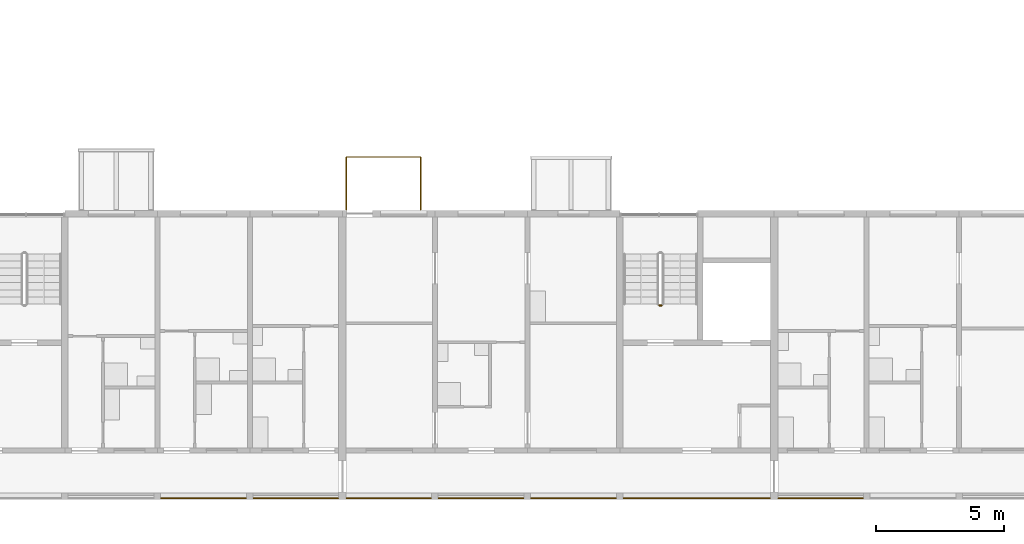
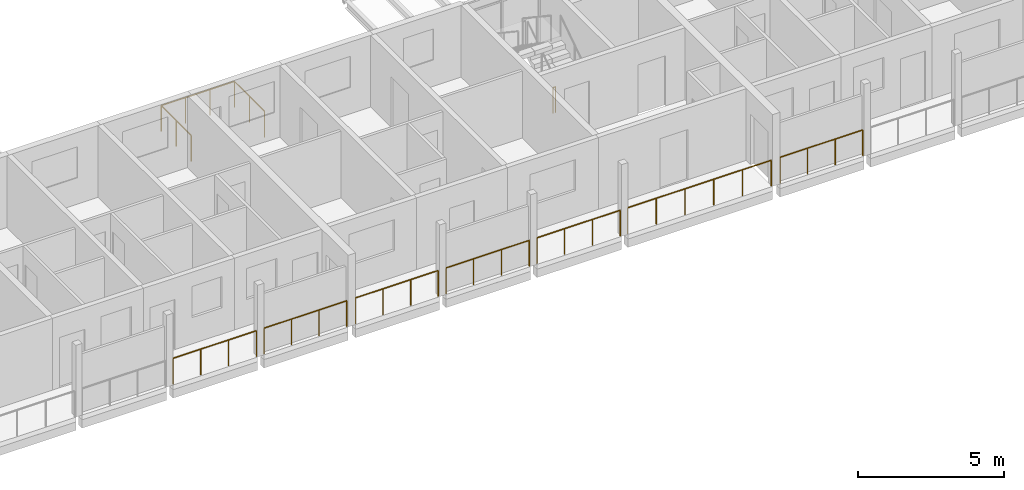
# One storey, part 78 of 87: 9 railings.
"""IFC4 building model written with IfcOpenShell, lengths in metres."""

from ifc_helpers import new_model, si_unit, direction, frame, origin, origin_2d, place, context, subcontext, project, spatial, circle, extrude, material, type_object, element, save


model = new_model("IFC4")

# Units and contexts
model_context = context("Model", 3, precision=1e-05, world=origin(), true_north=direction((0.0, 1.0)))
body_context = subcontext(model_context, "Body", "Model", "MODEL_VIEW")
ifc_project = project(units=[si_unit("LENGTHUNIT", "METRE"), si_unit("AREAUNIT", "SQUARE_METRE"), si_unit("VOLUMEUNIT", "CUBIC_METRE"), si_unit("PLANEANGLEUNIT", "RADIAN"), si_unit("MASSUNIT", "GRAM", prefix="KILO")], contexts=[model_context])

# Site, building, storey
site_placement = place(None, origin())
site = spatial("IfcSite", under=ifc_project, at=site_placement, CompositionType="ELEMENT")
building_placement = place(site_placement, origin())
building = spatial("IfcBuilding", under=site, at=building_placement, Name="Ridgestep Commons", CompositionType="ELEMENT")
storey_placement = place(building_placement, frame((0.0, 0.0, 27.0)))
storey = spatial("IfcBuildingStorey", under=building, at=storey_placement, Name="L09", CompositionType="ELEMENT", Elevation=27.0)

# Railings
ifc_material_1 = material(Name="Structural steel S355JR", Category="steel")
railing_type_1 = type_object("IfcRailingType", Name="Guard 1100", PredefinedType="GUARDRAIL", material=ifc_material_1)
railing_1_placement = place(storey_placement, frame((173.345947265625, 11.800048828125, 0.0)))
element("IfcRailing", 1, at=railing_1_placement, inside=storey, type_object=railing_type_1, Name="Gallery guard D 09.7", PredefinedType="GUARDRAIL", context=body_context, shape_type="SweptSolid", body=[
    extrude(circle(Radius=0.02392578125, at=origin_2d()), frame((0.0, 0.0, 1.076171875), z_axis=(1.0, 0.0, 0.0), x_axis=(0.0, 1.0, 0.0)), (0.0, 0.0, 1.0), 3.30810546875),
    extrude(circle(Radius=0.02099609375, at=origin_2d()), origin(), (0.0, 0.0, 1.0), 1.052001953125),
    extrude(circle(Radius=0.02099609375, at=origin_2d()), frame((1.102783203125, 0.0, 0.0)), (0.0, 0.0, 1.0), 1.052001953125),
    extrude(circle(Radius=0.02099609375, at=origin_2d()), frame((2.205322265625, 0.0, 0.0)), (0.0, 0.0, 1.0), 1.052001953125),
    extrude(circle(Radius=0.02099609375, at=origin_2d()), frame((3.30810546875, 0.0, 0.0)), (0.0, 0.0, 1.0), 1.052001953125),
])
for number, where, name in (
    (2, (176.946044921875, 11.800048828125, 0.0), "Gallery guard D 09.8"),
    (3, (180.571044921875, 11.800048828125, 0.0), "Gallery guard D 09.9"),
):
    element("IfcRailing", number, at=place(storey_placement, frame(where)), inside=storey, type_object=railing_type_1, Name=name, PredefinedType="GUARDRAIL", context=body_context, shape_type="SweptSolid", body=[
        extrude(circle(Radius=0.02392578125, at=origin_2d()), frame((0.0, 0.0, 1.076171875), z_axis=(1.0, 0.0, 0.0), x_axis=(0.0, 1.0, 0.0)), (0.0, 0.0, 1.0), 3.282958984375),
        extrude(circle(Radius=0.02099609375, at=origin_2d()), origin(), (0.0, 0.0, 1.0), 1.052001953125),
        extrude(circle(Radius=0.02099609375, at=origin_2d()), frame((1.09423828125, 0.0, 0.0)), (0.0, 0.0, 1.0), 1.052001953125),
        extrude(circle(Radius=0.02099609375, at=origin_2d()), frame((2.188720703125, 0.0, 0.0)), (0.0, 0.0, 1.0), 1.052001953125),
        extrude(circle(Radius=0.02099609375, at=origin_2d()), frame((3.282958984375, 0.0, 0.0)), (0.0, 0.0, 1.0), 1.052001953125),
    ])
railing_2_placement = place(storey_placement, frame((184.14599609375, 11.800048828125, 0.0)))
element("IfcRailing", 4, at=railing_2_placement, inside=storey, type_object=railing_type_1, Name="Gallery guard D 09.10", PredefinedType="GUARDRAIL", context=body_context, shape_type="SweptSolid", body=[
    extrude(circle(Radius=0.02392578125, at=origin_2d()), frame((0.0, 0.0, 1.076171875), z_axis=(1.0, 0.0, 0.0), x_axis=(0.0, 1.0, 0.0)), (0.0, 0.0, 1.0), 3.30810546875),
    extrude(circle(Radius=0.02099609375, at=origin_2d()), origin(), (0.0, 0.0, 1.0), 1.052001953125),
    extrude(circle(Radius=0.02099609375, at=origin_2d()), frame((1.102783203125, 0.0, 0.0)), (0.0, 0.0, 1.0), 1.052001953125),
    extrude(circle(Radius=0.02099609375, at=origin_2d()), frame((2.205322265625, 0.0, 0.0)), (0.0, 0.0, 1.0), 1.052001953125),
    extrude(circle(Radius=0.02099609375, at=origin_2d()), frame((3.30810546875, 0.0, 0.0)), (0.0, 0.0, 1.0), 1.052001953125),
])
railing_3_placement = place(storey_placement, frame((187.74609375, 11.800048828125, 0.0)))
element("IfcRailing", 5, at=railing_3_placement, inside=storey, type_object=railing_type_1, Name="Gallery guard D 09.11", PredefinedType="GUARDRAIL", context=body_context, shape_type="SweptSolid", body=[
    extrude(circle(Radius=0.02392578125, at=origin_2d()), frame((0.0, 0.0, 1.076171875), z_axis=(1.0, 0.0, 0.0), x_axis=(0.0, 1.0, 0.0)), (0.0, 0.0, 1.0), 3.307861328125),
    extrude(circle(Radius=0.02099609375, at=origin_2d()), origin(), (0.0, 0.0, 1.0), 1.052001953125),
    extrude(circle(Radius=0.02099609375, at=origin_2d()), frame((1.1025390625, 0.0, 0.0)), (0.0, 0.0, 1.0), 1.052001953125),
    extrude(circle(Radius=0.02099609375, at=origin_2d()), frame((2.205322265625, 0.0, 0.0)), (0.0, 0.0, 1.0), 1.052001953125),
    extrude(circle(Radius=0.02099609375, at=origin_2d()), frame((3.307861328125, 0.0, 0.0)), (0.0, 0.0, 1.0), 1.052001953125),
])
railing_4_placement = place(storey_placement, frame((191.345947265625, 11.800048828125, 0.0)))
element("IfcRailing", 6, at=railing_4_placement, inside=storey, type_object=railing_type_1, Name="Gallery guard D 09.12", PredefinedType="GUARDRAIL", context=body_context, shape_type="SweptSolid", body=[
    extrude(circle(Radius=0.02392578125, at=origin_2d()), frame((0.0, 0.0, 1.076171875), z_axis=(1.0, 0.0, 0.0), x_axis=(0.0, 1.0, 0.0)), (0.0, 0.0, 1.0), 5.68310546875),
    extrude(circle(Radius=0.02099609375, at=origin_2d()), origin(), (0.0, 0.0, 1.0), 1.052001953125),
    extrude(circle(Radius=0.02099609375, at=origin_2d()), frame((1.13671875, 0.0, 0.0)), (0.0, 0.0, 1.0), 1.052001953125),
    extrude(circle(Radius=0.02099609375, at=origin_2d()), frame((2.273193359375, 0.0, 0.0)), (0.0, 0.0, 1.0), 1.052001953125),
    extrude(circle(Radius=0.02099609375, at=origin_2d()), frame((3.409912109375, 0.0, 0.0)), (0.0, 0.0, 1.0), 1.052001953125),
    extrude(circle(Radius=0.02099609375, at=origin_2d()), frame((4.54638671875, 0.0, 0.0)), (0.0, 0.0, 1.0), 1.052001953125),
    extrude(circle(Radius=0.02099609375, at=origin_2d()), frame((5.68310546875, 0.0, 0.0)), (0.0, 0.0, 1.0), 1.052001953125),
])
railing_5_placement = place(storey_placement, frame((197.37109375, 11.800048828125, 0.0)))
element("IfcRailing", 7, at=railing_5_placement, inside=storey, type_object=railing_type_1, Name="Gallery guard D 09.13", PredefinedType="GUARDRAIL", context=body_context, shape_type="SweptSolid", body=[
    extrude(circle(Radius=0.02392578125, at=origin_2d()), frame((0.0, 0.0, 1.076171875), z_axis=(1.0, 0.0, 0.0), x_axis=(0.0, 1.0, 0.0)), (0.0, 0.0, 1.0), 3.282958984375),
    extrude(circle(Radius=0.02099609375, at=origin_2d()), origin(), (0.0, 0.0, 1.0), 1.052001953125),
    extrude(circle(Radius=0.02099609375, at=origin_2d()), frame((1.09423828125, 0.0, 0.0)), (0.0, 0.0, 1.0), 1.052001953125),
    extrude(circle(Radius=0.02099609375, at=origin_2d()), frame((2.188720703125, 0.0, 0.0)), (0.0, 0.0, 1.0), 1.052001953125),
    extrude(circle(Radius=0.02099609375, at=origin_2d()), frame((3.282958984375, 0.0, 0.0)), (0.0, 0.0, 1.0), 1.052001953125),
])
ifc_material_2 = material(Name="Structural steel S355JR", Category="steel")
railing_type_2 = type_object("IfcRailingType", Name="Stair guard 1100", PredefinedType="GUARDRAIL", material=ifc_material_2)
railing_6_placement = place(storey_placement, frame((192.824951171875, 19.300048828125, 0.0)))
element("IfcRailing", 8, at=railing_6_placement, inside=storey, type_object=railing_type_2, Name="L09 D3C stair guard 4", PredefinedType="GUARDRAIL", context=body_context, shape_type="SweptSolid", body=[
    extrude(circle(Radius=0.02392578125, at=origin_2d()), frame((0.0, 0.0, 1.076171875), z_axis=(-1.0, 0.0, 0.0), x_axis=(0.0, -1.0, 0.0)), (0.0, 0.0, 1.0), 0.099853515625),
    extrude(circle(Radius=0.02099609375, at=origin_2d()), origin(), (0.0, 0.0, 1.0), 1.052001953125),
    extrude(circle(Radius=0.02099609375, at=origin_2d()), frame((-0.099853515625, 0.0, 0.0)), (0.0, 0.0, 1.0), 1.052001953125),
])
ifc_material_3 = material(Name="Weathering steel S355J2W", Category="steel")
railing_type_3 = type_object("IfcRailingType", Name="Tray guard 1100", PredefinedType="GUARDRAIL", material=ifc_material_3)
railing_7_placement = place(storey_placement, frame((180.551025390625, 23.02099609375, 0.0)))
element("IfcRailing", 9, at=railing_7_placement, inside=storey, type_object=railing_type_3, Name="Tray guard D3T1-09", PredefinedType="GUARDRAIL", context=body_context, shape_type="SweptSolid", body=[
    extrude(circle(Radius=0.02392578125, at=origin_2d()), frame((0.0, 0.0, 1.076171875), z_axis=(0.0, 1.0, 0.0), x_axis=(-1.0, 0.0, 0.0)), (0.0, 0.0, 1.0), 2.05810546875),
    extrude(circle(Radius=0.02392578125, at=origin_2d()), frame((0.0, 2.05810546875, 1.076171875), z_axis=(1.0, 0.0, 0.0), x_axis=(0.0, 1.0, 0.0)), (0.0, 0.0, 1.0), 2.89794921875),
    extrude(circle(Radius=0.02392578125, at=origin_2d()), frame((2.89794921875, 2.05810546875, 1.076171875), z_axis=(0.0, -1.0, 0.0), x_axis=(1.0, 0.0, 0.0)), (0.0, 0.0, 1.0), 2.05810546875),
    extrude(circle(Radius=0.02099609375, at=origin_2d()), origin(), (0.0, 0.0, 1.0), 1.052001953125),
    extrude(circle(Radius=0.02099609375, at=origin_2d()), frame((0.0, 1.029052734375, 0.0)), (0.0, 0.0, 1.0), 1.052001953125),
    extrude(circle(Radius=0.02099609375, at=origin_2d()), frame((0.0, 2.05810546875, 0.0)), (0.0, 0.0, 1.0), 1.052001953125),
    extrude(circle(Radius=0.02099609375, at=origin_2d()), frame((0.966064453125, 2.05810546875, 0.0)), (0.0, 0.0, 1.0), 1.052001953125),
    extrude(circle(Radius=0.02099609375, at=origin_2d()), frame((1.931884765625, 2.05810546875, 0.0)), (0.0, 0.0, 1.0), 1.052001953125),
    extrude(circle(Radius=0.02099609375, at=origin_2d()), frame((2.89794921875, 2.05810546875, 0.0)), (0.0, 0.0, 1.0), 1.052001953125),
    extrude(circle(Radius=0.02099609375, at=origin_2d()), frame((2.89794921875, 1.029052734375, 0.0)), (0.0, 0.0, 1.0), 1.052001953125),
    extrude(circle(Radius=0.02099609375, at=origin_2d()), frame((2.89794921875, 0.0, 0.0)), (0.0, 0.0, 1.0), 1.052001953125),
])

save(model, "model.ifc")
